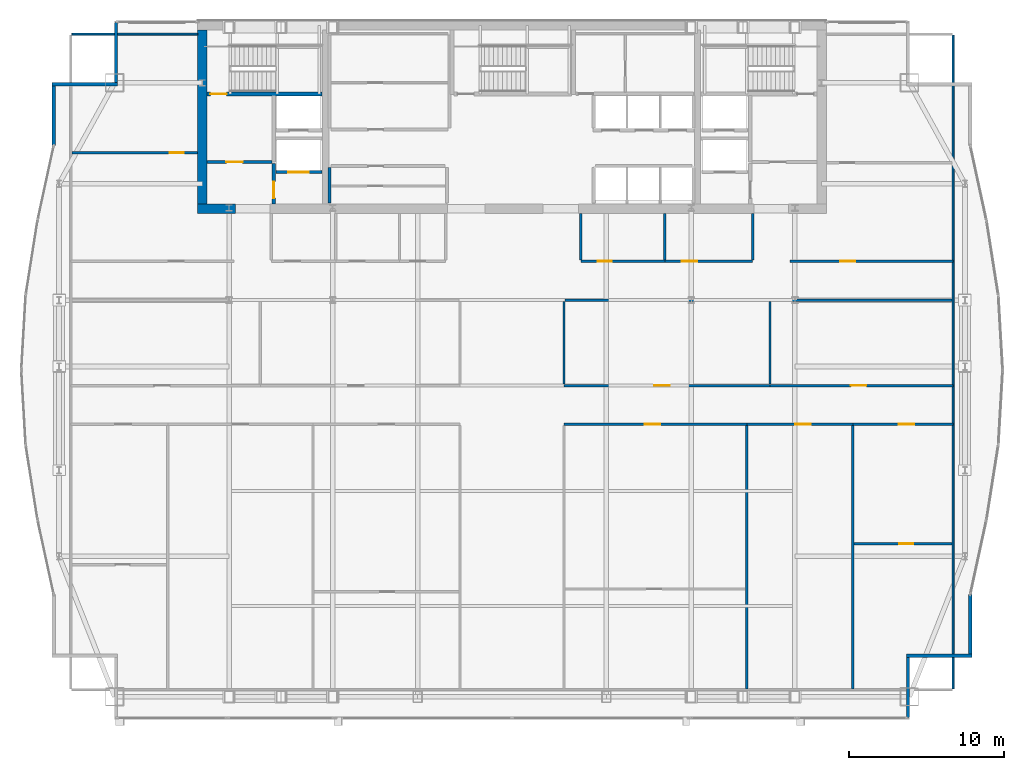
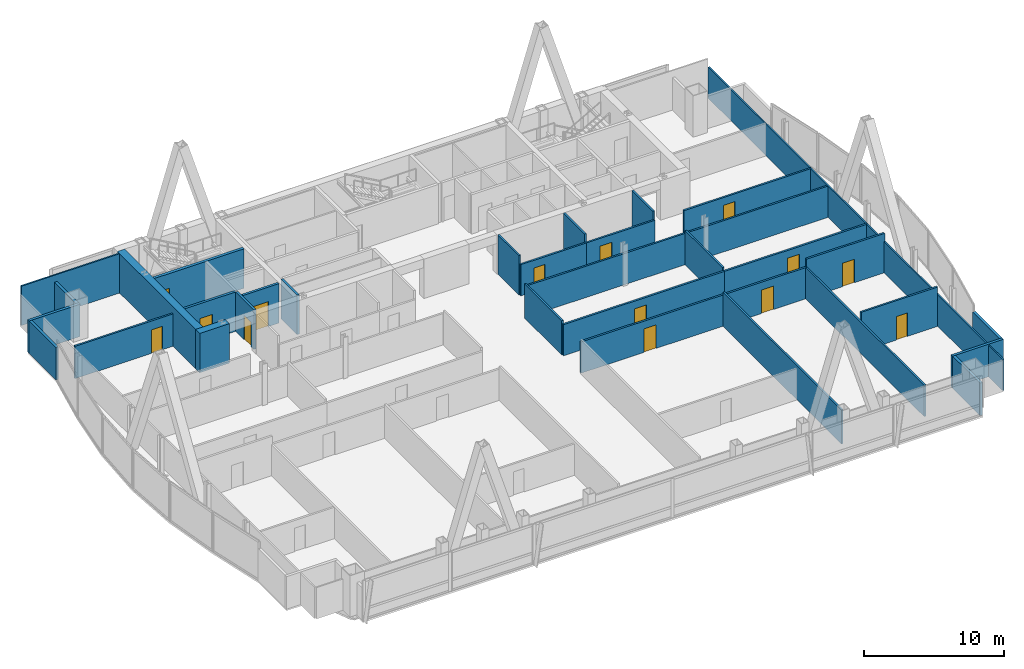
# One storey, part 29 of 33: 33 walls, 14 doors, 14 openings.
"""IFC4 building model written with IfcOpenShell, lengths in metres."""

from ifc_helpers import new_model, si_unit, direction, frame, frame_2d, origin, place, context, subcontext, project, spatial, rectangle, extrude, material, layer, layer_set, type_object, element, fill, save


model = new_model("IFC4")

# Units and contexts
model_context = context("Model", 3, precision=1e-05, world=origin(), true_north=direction((0.0, 1.0)))
body_context = subcontext(model_context, "Body", "Model", "MODEL_VIEW")
ifc_project = project(units=[si_unit("LENGTHUNIT", "METRE"), si_unit("AREAUNIT", "SQUARE_METRE"), si_unit("VOLUMEUNIT", "CUBIC_METRE"), si_unit("PLANEANGLEUNIT", "RADIAN"), si_unit("MASSUNIT", "GRAM", prefix="KILO")], contexts=[model_context])

# Site, building, storey
site_placement = place(None, origin())
site = spatial("IfcSite", under=ifc_project, at=site_placement, CompositionType="ELEMENT")
building_placement = place(site_placement, origin())
building = spatial("IfcBuilding", under=site, at=building_placement, Name="Khoronbel Lancet Exchange", CompositionType="ELEMENT")
storey_placement = place(building_placement, frame((0.0, 0.0, 210.199951171875)))
storey = spatial("IfcBuildingStorey", under=building, at=storey_placement, Name="L53", CompositionType="ELEMENT", Elevation=210.199951171875)

# Walls
ifc_material_1 = material(Name="Concrete C60/75", Category="concrete")
ifc_layer_1 = layer(ifc_material_1, 0.60009765625, Name="Concrete C60/75")
ifc_layer_set_1 = layer_set([ifc_layer_1], Name="Concrete C60/75")
wall_type_1 = type_object("IfcWallType", Name="WL-CW3", PredefinedType="SHEAR", material=ifc_layer_set_1)
wall_1_placement = place(storey_placement, frame((16.5, 41.89990234375, 0.0), z_axis=(0.0, 0.0, 1.0), x_axis=(0.0, 1.0, 0.0)))
element("IfcWall", 1, at=wall_1_placement, inside=storey, type_object=wall_type_1, Name="Level L53 rear core west shear wall", PredefinedType="SHEAR", context=body_context, shape_type="SweptSolid", body=[
    extrude(rectangle(XDim=11.2001953125, YDim=0.60009765625, at=frame_2d((5.60009765625, 0.0))), origin(), (0.0, 0.0, 1.0), 3.43994140625),
])
wall_2_placement = place(storey_placement, frame((18.64990234375, 41.60009765625, 0.0), z_axis=(0.0, 0.0, 1.0), x_axis=(-1.0, 0.0, 0.0)))
element("IfcWall", 2, at=wall_2_placement, inside=storey, type_object=wall_type_1, Name="Level L53 rear core south shear wall pier P1", PredefinedType="SHEAR", context=body_context, shape_type="SweptSolid", body=[
    extrude(rectangle(XDim=2.449951171875, YDim=0.60009765625, at=frame_2d((1.22509765625, 0.0))), origin(), (0.0, 0.0, 1.0), 3.43994140625),
])
ifc_material_2 = material(Name="Precast concrete C40/50", Category="concrete")
ifc_layer_2 = layer(ifc_material_2, 0.25, Name="Precast concrete C40/50")
ifc_layer_set_2 = layer_set([ifc_layer_2], Name="Precast concrete C40/50")
wall_type_2 = type_object("IfcWallType", Name="WL-EXT250", PredefinedType="SOLIDWALL", material=ifc_layer_set_2)
wall_3_placement = place(storey_placement, frame((6.93994140625, 45.67041015625, 0.0), z_axis=(0.0, 0.0, 1.0), x_axis=(0.0, 1.0, 0.0)))
element("IfcWall", 3, at=wall_3_placement, inside=storey, type_object=wall_type_2, Name="Level L53 notched-corner limestone pier 10", PredefinedType="SOLIDWALL", context=body_context, shape_type="SweptSolid", body=[
    extrude(rectangle(XDim=3.82958984375, YDim=0.219970703125, at=frame_2d((1.914794921875, 0.0))), origin(), (0.0, 0.0, 1.0), 2.830078125),
])
wall_4_placement = place(storey_placement, frame((6.830078125, 49.610107421875, 0.0), z_axis=(0.0, 0.0, 1.0), x_axis=(1.0, 0.0, 0.0)))
element("IfcWall", 4, at=wall_4_placement, inside=storey, type_object=wall_type_2, Name="Level L53 notched-corner limestone pier 11", PredefinedType="SOLIDWALL", context=body_context, shape_type="SweptSolid", body=[
    extrude(rectangle(XDim=4.219970703125, YDim=0.219970703125, at=frame_2d((2.10986328125, 0.0))), origin(), (0.0, 0.0, 1.0), 2.830078125),
])
wall_5_placement = place(storey_placement, frame((10.93994140625, 49.719970703125, 0.0), z_axis=(0.0, 0.0, 1.0), x_axis=(0.0, 1.0, 0.0)))
element("IfcWall", 5, at=wall_5_placement, inside=storey, type_object=wall_type_2, Name="Level L53 notched-corner limestone pier 12", PredefinedType="SOLIDWALL", context=body_context, shape_type="SweptSolid", body=[
    extrude(rectangle(XDim=3.909912109375, YDim=0.219970703125, at=frame_2d((1.955078125, 0.0))), origin(), (0.0, 0.0, 1.0), 2.830078125),
])
wall_6_placement = place(storey_placement, frame((65.9599609375, 16.7294921875, 0.0), z_axis=(0.0, 0.0, 1.0), x_axis=(0.0, -1.0, 0.0)))
element("IfcWall", 6, at=wall_6_placement, inside=storey, type_object=wall_type_2, Name="Level L53 notched-corner limestone pier 23", PredefinedType="SOLIDWALL", context=body_context, shape_type="SweptSolid", body=[
    extrude(rectangle(XDim=3.82958984375, YDim=0.219970703125, at=frame_2d((1.914794921875, 0.0))), origin(), (0.0, 0.0, 1.0), 2.830078125),
])
wall_7_placement = place(storey_placement, frame((66.070068359375, 12.7900390625, 0.0), z_axis=(0.0, 0.0, 1.0), x_axis=(-1.0, 0.0, 0.0)))
element("IfcWall", 7, at=wall_7_placement, inside=storey, type_object=wall_type_2, Name="Level L53 notched-corner limestone pier 24", PredefinedType="SOLIDWALL", context=body_context, shape_type="SweptSolid", body=[
    extrude(rectangle(XDim=4.219970703125, YDim=0.219970703125, at=frame_2d((2.10986328125, 0.0))), origin(), (0.0, 0.0, 1.0), 2.830078125),
])
wall_8_placement = place(storey_placement, frame((61.9599609375, 12.679931640625, 0.0), z_axis=(0.0, 0.0, 1.0), x_axis=(0.0, -1.0, 0.0)))
element("IfcWall", 8, at=wall_8_placement, inside=storey, type_object=wall_type_2, Name="Level L53 notched-corner limestone pier 25", PredefinedType="SOLIDWALL", context=body_context, shape_type="SweptSolid", body=[
    extrude(rectangle(XDim=3.909912109375, YDim=0.219970703125, at=frame_2d((1.955078125, 0.0))), origin(), (0.0, 0.0, 1.0), 2.830078125),
])
ifc_material_3 = material(Name="Acoustic Metal-Stud & Mineral-Wool Gypsum Partition 120 mm", Category="gypsum")
ifc_layer_3 = layer(ifc_material_3, 0.1201171875, Name="Acoustic Metal-Stud & Mineral-Wool Gypsum Partition 120 mm")
ifc_layer_set_3 = layer_set([ifc_layer_3], Name="Acoustic Metal-Stud & Mineral-Wool Gypsum Partition 120 mm")
wall_type_3 = type_object("IfcWallType", Name="WL-PRT120", PredefinedType="PARTITIONING", material=ifc_layer_set_3)
for number, where, z_axis, x_axis, name in (
    (9, (40.8798828125, 38.280029296875, 0.0), (0.0, 0.0, 1.0), (0.0, 1.0, 0.0), "Level L53 interior partition PW-NP-0"),
    (10, (46.300048828125, 38.280029296875, 0.0), (0.0, 0.0, 1.0), (0.0, 1.0, 0.0), "Level L53 interior partition PW-NP-M"),
    (11, (51.949951171875, 38.280029296875, 0.0), (0.0, 0.0, 1.0), (0.0, 1.0, 0.0), "Level L53 interior partition PW-NP-1"),
):
    element("IfcWall", number, at=place(storey_placement, frame(where, z_axis=z_axis, x_axis=x_axis)), inside=storey, type_object=wall_type_3, Name=name, PredefinedType="PARTITIONING", context=body_context, shape_type="SweptSolid", body=[
        extrude(rectangle(XDim=3.02001953125, YDim=0.14990234375, at=frame_2d((1.510009765625, 0.0))), origin(), (0.0, 0.0, 1.0), 3.43994140625),
    ])

# Wall, opening, door
wall_9_placement = place(storey_placement, frame((8.094970703125, 45.199951171875, 0.0), z_axis=(0.0, 0.0, 1.0), x_axis=(1.0, 0.0, 0.0)))
wall_9 = element("IfcWall", 12, at=wall_9_placement, inside=storey, type_object=wall_type_3, Name="Level L53 interior partition PW-NW-H", PredefinedType="PARTITIONING", context=body_context, shape_type="SweptSolid", body=[
    extrude(rectangle(XDim=8.10498046875, YDim=0.14990234375, at=frame_2d((4.052490234375, 0.0))), origin(), (0.0, 0.0, 1.0), 2.830078125),
])
opening_1_placement = place(wall_9_placement, frame((6.320068359375, 0.0, 0.0)))
opening_1 = element("IfcOpeningElement", 13, at=opening_1_placement, cuts=wall_9, Name="Opening D5", PredefinedType="OPENING", context=body_context, shape_type="SweptSolid", body=[
    extrude(rectangle(XDim=0.89990234375, YDim=2.050048828125, at=frame_2d((0.449951171875, 1.02490234375))), frame((0.0, 0.0849609375, 0.0), z_axis=(0.0, -1.0, 0.0), x_axis=(1.0, 0.0, 0.0)), (0.0, 0.0, 1.0), 0.169921875),
])
ifc_material_4 = material(Name="Acoustic Timber Pantry & Support Door", Category="wood")
door_type_1 = type_object("IfcDoorType", Name="DR-D5", OperationType="NOTDEFINED", PredefinedType="DOOR", material=ifc_material_4)
door_1_placement = place(opening_1_placement, origin())
door_1 = element("IfcDoor", 14, at=door_1_placement, inside=storey, type_object=door_type_1, Name="NW north room door L53-1", OperationType="SINGLE_SWING_LEFT", OverallHeight=2.050048828125, OverallWidth=0.89990234375, PredefinedType="DOOR", context=body_context, shape_type="SweptSolid", body=[
    extrude(rectangle(XDim=0.89990234375, YDim=2.050048828125, at=frame_2d((0.449951171875, 1.02490234375))), frame((0.0, 0.02490234375, 0.0), z_axis=(0.0, -1.0, 0.0), x_axis=(1.0, 0.0, 0.0)), (0.0, 0.0, 1.0), 0.050048828125),
])
fill(opening_1, door_1)

wall_10_placement = place(storey_placement, frame((58.49267578125, 20.0048828125, 0.0), z_axis=(0.0, 0.0, 1.0), x_axis=(1.0, 0.0, 0.0)))
wall_10 = element("IfcWall", 15, at=wall_10_placement, inside=storey, type_object=wall_type_3, Name="Level L53 interior partition PW-Z3SE-H3", PredefinedType="PARTITIONING", context=body_context, shape_type="SweptSolid", body=[
    extrude(rectangle(XDim=6.312255859375, YDim=0.14990234375, at=frame_2d((3.15625, 0.0))), origin(), (0.0, 0.0, 1.0), 3.43994140625),
])
opening_2_placement = place(wall_10_placement, frame((2.90576171875, 0.0, 0.0)))
opening_2 = element("IfcOpeningElement", 16, at=opening_2_placement, cuts=wall_10, Name="Opening D5", PredefinedType="OPENING", context=body_context, shape_type="SweptSolid", body=[
    extrude(rectangle(XDim=0.89990234375, YDim=2.050048828125, at=frame_2d((0.449951171875, 1.02490234375))), frame((0.0, 0.0849609375, 0.0), z_axis=(0.0, -1.0, 0.0), x_axis=(1.0, 0.0, 0.0)), (0.0, 0.0, 1.0), 0.169921875),
])
door_2_placement = place(opening_2_placement, origin())
door_2 = element("IfcDoor", 17, at=door_2_placement, inside=storey, type_object=door_type_1, Name="Z3SE inner door 3 L53-1", OperationType="SINGLE_SWING_RIGHT", OverallHeight=2.050048828125, OverallWidth=0.89990234375, PredefinedType="DOOR", context=body_context, shape_type="SweptSolid", body=[
    extrude(rectangle(XDim=0.89990234375, YDim=2.050048828125, at=frame_2d((0.449951171875, 1.02490234375))), frame((0.0, 0.02490234375, 0.0), z_axis=(0.0, -1.0, 0.0), x_axis=(1.0, 0.0, 0.0)), (0.0, 0.0, 1.0), 0.050048828125),
])
fill(opening_2, door_2)

# Walls
wall_11_placement = place(storey_placement, frame((64.8701171875, 10.6650390625, 0.0), z_axis=(0.0, 0.0, 1.0), x_axis=(0.0, 1.0, 0.0)))
element("IfcWall", 18, at=wall_11_placement, inside=storey, type_object=wall_type_3, Name="Level L53 interior partition PW-LIN-E", PredefinedType="PARTITIONING", context=body_context, shape_type="SweptSolid", body=[
    extrude(rectangle(XDim=42.10986328125, YDim=0.1201171875, at=frame_2d((21.054931640625, 0.0))), origin(), (0.0, 0.0, 1.0), 2.72998046875),
])
wall_12_placement = place(storey_placement, frame((8.094970703125, 52.840087890625, 0.0), z_axis=(0.0, 0.0, 1.0), x_axis=(1.0, 0.0, 0.0)))
element("IfcWall", 19, at=wall_12_placement, inside=storey, type_object=wall_type_3, Name="Level L53 interior partition PW-LIN-NW", PredefinedType="PARTITIONING", context=body_context, shape_type="SweptSolid", body=[
    extrude(rectangle(XDim=8.10498046875, YDim=0.1201171875, at=frame_2d((4.052490234375, 0.0))), origin(), (0.0, 0.0, 1.0), 3.43994140625),
])

# Wall, opening, door
ifc_material_5 = material(Name="Fire-Rated Twin-Stud Acoustic Gypsum Partition 150 mm", Category="gypsum")
ifc_layer_4 = layer(ifc_material_5, 0.14990234375, Name="Fire-Rated Twin-Stud Acoustic Gypsum Partition 150 mm")
ifc_layer_set_4 = layer_set([ifc_layer_4], Name="Fire-Rated Twin-Stud Acoustic Gypsum Partition 150 mm")
wall_type_4 = type_object("IfcWallType", Name="WL-PRT150C", PredefinedType="PARTITIONING", material=ifc_layer_set_4)
wall_13_placement = place(storey_placement, frame((40.8798828125, 38.199951171875, 0.0), z_axis=(0.0, 0.0, 1.0), x_axis=(1.0, 0.0, 0.0)))
wall_13 = element("IfcWall", 20, at=wall_13_placement, inside=storey, type_object=wall_type_4, Name="Level L53 interior partition PW-NP-S1", PredefinedType="PARTITIONING", context=body_context, shape_type="SweptSolid", body=[
    extrude(rectangle(XDim=5.420166015625, YDim=0.14990234375, at=frame_2d((2.7099609375, 0.0))), origin(), (0.0, 0.0, 1.0), 2.72998046875),
])
opening_3_placement = place(wall_13_placement, frame((1.10009765625, 0.0, 0.0)))
opening_3 = element("IfcOpeningElement", 21, at=opening_3_placement, cuts=wall_13, Name="Opening D5", PredefinedType="OPENING", context=body_context, shape_type="SweptSolid", body=[
    extrude(rectangle(XDim=0.89990234375, YDim=2.050048828125, at=frame_2d((0.449951171875, 1.02490234375))), frame((0.0, 0.0849609375, 0.0), z_axis=(0.0, -1.0, 0.0), x_axis=(1.0, 0.0, 0.0)), (0.0, 0.0, 1.0), 0.169921875),
])
door_3_placement = place(opening_3_placement, origin())
door_3 = element("IfcDoor", 22, at=door_3_placement, inside=storey, type_object=door_type_1, Name="Floor refreshment pantry door L53-1", OperationType="SINGLE_SWING_LEFT", OverallHeight=2.050048828125, OverallWidth=0.89990234375, PredefinedType="DOOR", context=body_context, shape_type="SweptSolid", body=[
    extrude(rectangle(XDim=0.89990234375, YDim=2.050048828125, at=frame_2d((0.449951171875, 1.02490234375))), frame((0.0, 0.02490234375, 0.0), z_axis=(0.0, -1.0, 0.0), x_axis=(1.0, 0.0, 0.0)), (0.0, 0.0, 1.0), 0.050048828125),
])
fill(opening_3, door_3)

wall_14_placement = place(storey_placement, frame((46.300048828125, 38.199951171875, 0.0), z_axis=(0.0, 0.0, 1.0), x_axis=(1.0, 0.0, 0.0)))
wall_14 = element("IfcWall", 23, at=wall_14_placement, inside=storey, type_object=wall_type_4, Name="Level L53 interior partition PW-NP-S2", PredefinedType="PARTITIONING", context=body_context, shape_type="SweptSolid", body=[
    extrude(rectangle(XDim=5.64990234375, YDim=0.14990234375, at=frame_2d((2.824951171875, 0.0))), origin(), (0.0, 0.0, 1.0), 2.72998046875),
])
opening_4_placement = place(wall_14_placement, frame((1.10009765625, 0.0, 0.0)))
opening_4 = element("IfcOpeningElement", 24, at=opening_4_placement, cuts=wall_14, Name="Opening D2", PredefinedType="OPENING", context=body_context, shape_type="SweptSolid", body=[
    extrude(rectangle(XDim=1.0, YDim=2.050048828125, at=frame_2d((0.5, 1.02490234375))), frame((0.0, 0.0849609375, 0.0), z_axis=(0.0, -1.0, 0.0), x_axis=(1.0, 0.0, 0.0)), (0.0, 0.0, 1.0), 0.169921875),
])
ifc_material_6 = material(Name="Acoustic Veneered Timber & Bronze Frame Door", Category="wood")
door_type_2 = type_object("IfcDoorType", Name="DR-D2", OperationType="NOTDEFINED", PredefinedType="DOOR", material=ifc_material_6)
door_4_placement = place(opening_4_placement, origin())
door_4 = element("IfcDoor", 25, at=door_4_placement, inside=storey, type_object=door_type_2, Name="Floor store door L53-1", OperationType="SINGLE_SWING_RIGHT", OverallHeight=2.050048828125, OverallWidth=1.0, PredefinedType="DOOR", context=body_context, shape_type="SweptSolid", body=[
    extrude(rectangle(XDim=1.0, YDim=2.050048828125, at=frame_2d((0.5, 1.02490234375))), frame((0.0, 0.02490234375, 0.0), z_axis=(0.0, -1.0, 0.0), x_axis=(1.0, 0.0, 0.0)), (0.0, 0.0, 1.0), 0.050048828125),
])
fill(opening_4, door_4)

wall_15_placement = place(storey_placement, frame((54.35009765625, 38.199951171875, 0.0), z_axis=(0.0, 0.0, 1.0), x_axis=(1.0, 0.0, 0.0)))
wall_15 = element("IfcWall", 26, at=wall_15_placement, inside=storey, type_object=wall_type_4, Name="Level L53 interior partition PW-NE-S", PredefinedType="PARTITIONING", context=body_context, shape_type="SweptSolid", body=[
    extrude(rectangle(XDim=10.52001953125, YDim=0.14990234375, at=frame_2d((5.260009765625, 0.0))), origin(), (0.0, 0.0, 1.0), 2.72998046875),
])
opening_5_placement = place(wall_15_placement, frame((3.25, 0.0, 0.0)))
opening_5 = element("IfcOpeningElement", 27, at=opening_5_placement, cuts=wall_15, Name="Opening D1", PredefinedType="OPENING", context=body_context, shape_type="SweptSolid", body=[
    extrude(rectangle(XDim=0.949951171875, YDim=2.050048828125, at=frame_2d((0.47509765625, 1.02490234375))), frame((0.0, 0.0849609375, 0.0), z_axis=(0.0, -1.0, 0.0), x_axis=(1.0, 0.0, 0.0)), (0.0, 0.0, 1.0), 0.169921875),
])
door_type_3 = type_object("IfcDoorType", Name="DR-D1", OperationType="NOTDEFINED", PredefinedType="DOOR", material=ifc_material_6)
door_5_placement = place(opening_5_placement, origin())
door_5 = element("IfcDoor", 28, at=door_5_placement, inside=storey, type_object=door_type_3, Name="NE corner room door L53-1", OperationType="SINGLE_SWING_RIGHT", OverallHeight=2.050048828125, OverallWidth=0.949951171875, PredefinedType="DOOR", context=body_context, shape_type="SweptSolid", body=[
    extrude(rectangle(XDim=0.949951171875, YDim=2.050048828125, at=frame_2d((0.47509765625, 1.02490234375))), frame((0.0, 0.02490234375, 0.0), z_axis=(0.0, -1.0, 0.0), x_axis=(1.0, 0.0, 0.0)), (0.0, 0.0, 1.0), 0.050048828125),
])
fill(opening_5, door_5)

# Walls
wall_16_placement = place(storey_placement, frame((39.800048828125, 30.284912109375, 0.0), z_axis=(0.0, 0.0, 1.0), x_axis=(0.0, 1.0, 0.0)))
element("IfcWall", 29, at=wall_16_placement, inside=storey, type_object=wall_type_4, Name="Level L53 interior partition PW-Z3-CE2", PredefinedType="PARTITIONING", context=body_context, shape_type="SweptSolid", body=[
    extrude(rectangle(XDim=5.335205078125, YDim=0.14990234375, at=frame_2d((2.66748046875, 0.0))), origin(), (0.0, 0.0, 1.0), 2.97998046875),
])
wall_17_placement = place(storey_placement, frame((39.8798828125, 35.699951171875, 0.0), z_axis=(0.0, 0.0, 1.0), x_axis=(1.0, 0.0, 0.0)))
element("IfcWall", 30, at=wall_17_placement, inside=storey, type_object=wall_type_4, Name="Level L53 interior partition PW-Z3-EN", PredefinedType="PARTITIONING", context=body_context, shape_type="SweptSolid", body=[
    extrude(rectangle(XDim=24.925048828125, YDim=0.14990234375, at=frame_2d((12.46240234375, 0.0))), origin(), (0.0, 0.0, 1.0), 2.72998046875),
])
wall_18_placement = place(storey_placement, frame((51.5751953125, 10.6650390625, 0.0), z_axis=(0.0, 0.0, 1.0), x_axis=(0.0, 1.0, 0.0)))
element("IfcWall", 31, at=wall_18_placement, inside=storey, type_object=wall_type_4, Name="Level L53 interior partition PW-Z3SE-V1", PredefinedType="PARTITIONING", context=body_context, shape_type="SweptSolid", body=[
    extrude(rectangle(XDim=16.949951171875, YDim=0.14990234375, at=frame_2d((8.47509765625, 0.0))), origin(), (0.0, 0.0, 1.0), 2.97998046875),
])
wall_19_placement = place(storey_placement, frame((58.41259765625, 10.6650390625, 0.0), z_axis=(0.0, 0.0, 1.0), x_axis=(0.0, 1.0, 0.0)))
element("IfcWall", 32, at=wall_19_placement, inside=storey, type_object=wall_type_4, Name="Level L53 interior partition PW-Z3SE-V2", PredefinedType="PARTITIONING", context=body_context, shape_type="SweptSolid", body=[
    extrude(rectangle(XDim=16.949951171875, YDim=0.14990234375, at=frame_2d((8.47509765625, 0.0))), origin(), (0.0, 0.0, 1.0), 2.72998046875),
])
wall_20_placement = place(storey_placement, frame((53.072509765625, 30.284912109375, 0.0), z_axis=(0.0, 0.0, 1.0), x_axis=(0.0, 1.0, 0.0)))
element("IfcWall", 33, at=wall_20_placement, inside=storey, type_object=wall_type_4, Name="Level L53 interior partition PW-Z3NE-V1", PredefinedType="PARTITIONING", context=body_context, shape_type="SweptSolid", body=[
    extrude(rectangle(XDim=5.335205078125, YDim=0.14990234375, at=frame_2d((2.66748046875, 0.0))), origin(), (0.0, 0.0, 1.0), 2.97998046875),
])

# Wall, opening, door
ifc_material_7 = material(Name="Fire-Rated Twin-Stud Acoustic Gypsum Partition 160 mm", Category="gypsum")
ifc_layer_5 = layer(ifc_material_7, 0.159912109375, Name="Fire-Rated Twin-Stud Acoustic Gypsum Partition 160 mm")
ifc_layer_set_5 = layer_set([ifc_layer_5], Name="Fire-Rated Twin-Stud Acoustic Gypsum Partition 160 mm")
wall_type_5 = type_object("IfcWallType", Name="WL-PRT160C", PredefinedType="PARTITIONING", material=ifc_layer_set_5)
wall_21_placement = place(storey_placement, frame((39.800048828125, 27.699951171875, 0.0), z_axis=(0.0, 0.0, 1.0), x_axis=(1.0, 0.0, 0.0)))
wall_21 = element("IfcWall", 34, at=wall_21_placement, inside=storey, type_object=wall_type_5, Name="Level L53 interior partition PW-Z3SE-COR1", PredefinedType="PARTITIONING", context=body_context, shape_type="SweptSolid", body=[
    extrude(rectangle(XDim=11.775146484375, YDim=0.159912109375, at=frame_2d((5.8876953125, 0.0))), origin(), (0.0, 0.0, 1.0), 2.72998046875),
])
opening_6_placement = place(wall_21_placement, frame((5.195556640625, 0.0, 0.0)))
opening_6 = element("IfcOpeningElement", 35, at=opening_6_placement, cuts=wall_21, Name="Opening D2", PredefinedType="OPENING", context=body_context, shape_type="SweptSolid", body=[
    extrude(rectangle(XDim=1.0, YDim=2.050048828125, at=frame_2d((0.5, 1.02490234375))), frame((0.0, 0.08984375, 0.0), z_axis=(0.0, -1.0, 0.0), x_axis=(1.0, 0.0, 0.0)), (0.0, 0.0, 1.0), 0.179931640625),
])
door_6_placement = place(opening_6_placement, origin())
door_6 = element("IfcDoor", 36, at=door_6_placement, inside=storey, type_object=door_type_2, Name="Z3SE bay 1 door L53-1", OperationType="SINGLE_SWING_RIGHT", OverallHeight=2.050048828125, OverallWidth=1.0, PredefinedType="DOOR", context=body_context, shape_type="SweptSolid", body=[
    extrude(rectangle(XDim=1.0, YDim=2.050048828125, at=frame_2d((0.5, 1.02490234375))), frame((0.0, 0.02490234375, 0.0), z_axis=(0.0, -1.0, 0.0), x_axis=(1.0, 0.0, 0.0)), (0.0, 0.0, 1.0), 0.050048828125),
])
fill(opening_6, door_6)

wall_22_placement = place(storey_placement, frame((51.5751953125, 27.699951171875, 0.0), z_axis=(0.0, 0.0, 1.0), x_axis=(1.0, 0.0, 0.0)))
wall_22 = element("IfcWall", 37, at=wall_22_placement, inside=storey, type_object=wall_type_5, Name="Level L53 interior partition PW-Z3SE-COR2", PredefinedType="PARTITIONING", context=body_context, shape_type="SweptSolid", body=[
    extrude(rectangle(XDim=6.83740234375, YDim=0.159912109375, at=frame_2d((3.418701171875, 0.0))), origin(), (0.0, 0.0, 1.0), 2.72998046875),
])
opening_7_placement = place(wall_22_placement, frame((3.12158203125, 0.0, 0.0)))
opening_7 = element("IfcOpeningElement", 38, at=opening_7_placement, cuts=wall_22, Name="Opening D2", PredefinedType="OPENING", context=body_context, shape_type="SweptSolid", body=[
    extrude(rectangle(XDim=1.0, YDim=2.050048828125, at=frame_2d((0.5, 1.02490234375))), frame((0.0, 0.08984375, 0.0), z_axis=(0.0, -1.0, 0.0), x_axis=(1.0, 0.0, 0.0)), (0.0, 0.0, 1.0), 0.179931640625),
])
door_7_placement = place(opening_7_placement, origin())
door_7 = element("IfcDoor", 39, at=door_7_placement, inside=storey, type_object=door_type_2, Name="Z3SE bay 2 door L53-1", OperationType="SINGLE_SWING_RIGHT", OverallHeight=2.050048828125, OverallWidth=1.0, PredefinedType="DOOR", context=body_context, shape_type="SweptSolid", body=[
    extrude(rectangle(XDim=1.0, YDim=2.050048828125, at=frame_2d((0.5, 1.02490234375))), frame((0.0, 0.02490234375, 0.0), z_axis=(0.0, -1.0, 0.0), x_axis=(1.0, 0.0, 0.0)), (0.0, 0.0, 1.0), 0.050048828125),
])
fill(opening_7, door_7)

wall_23_placement = place(storey_placement, frame((58.41259765625, 27.699951171875, 0.0), z_axis=(0.0, 0.0, 1.0), x_axis=(1.0, 0.0, 0.0)))
wall_23 = element("IfcWall", 40, at=wall_23_placement, inside=storey, type_object=wall_type_5, Name="Level L53 interior partition PW-Z3SE-COR3", PredefinedType="PARTITIONING", context=body_context, shape_type="SweptSolid", body=[
    extrude(rectangle(XDim=6.45751953125, YDim=0.159912109375, at=frame_2d((3.228759765625, 0.0))), origin(), (0.0, 0.0, 1.0), 3.43994140625),
])
opening_8_placement = place(wall_23_placement, frame((2.962158203125, 0.0, 0.0)))
opening_8 = element("IfcOpeningElement", 41, at=opening_8_placement, cuts=wall_23, Name="Opening D2", PredefinedType="OPENING", context=body_context, shape_type="SweptSolid", body=[
    extrude(rectangle(XDim=1.0, YDim=2.050048828125, at=frame_2d((0.5, 1.02490234375))), frame((0.0, 0.08984375, 0.0), z_axis=(0.0, -1.0, 0.0), x_axis=(1.0, 0.0, 0.0)), (0.0, 0.0, 1.0), 0.179931640625),
])
door_8_placement = place(opening_8_placement, origin())
door_8 = element("IfcDoor", 42, at=door_8_placement, inside=storey, type_object=door_type_2, Name="Z3SE bay 3 door L53-1", OperationType="SINGLE_SWING_LEFT", OverallHeight=2.050048828125, OverallWidth=1.0, PredefinedType="DOOR", context=body_context, shape_type="SweptSolid", body=[
    extrude(rectangle(XDim=1.0, YDim=2.050048828125, at=frame_2d((0.5, 1.02490234375))), frame((0.0, 0.02490234375, 0.0), z_axis=(0.0, -1.0, 0.0), x_axis=(1.0, 0.0, 0.0)), (0.0, 0.0, 1.0), 0.050048828125),
])
fill(opening_8, door_8)

wall_24_placement = place(storey_placement, frame((39.800048828125, 30.199951171875, 0.0), z_axis=(0.0, 0.0, 1.0), x_axis=(1.0, 0.0, 0.0)))
wall_24 = element("IfcWall", 43, at=wall_24_placement, inside=storey, type_object=wall_type_5, Name="Level L53 interior partition PW-Z3NE-COR1", PredefinedType="PARTITIONING", context=body_context, shape_type="SweptSolid", body=[
    extrude(rectangle(XDim=13.2724609375, YDim=0.159912109375, at=frame_2d((6.63623046875, 0.0))), origin(), (0.0, 0.0, 1.0), 2.72998046875),
])
opening_9_placement = place(wall_24_placement, frame((5.824462890625, 0.0, 0.0)))
opening_9 = element("IfcOpeningElement", 44, at=opening_9_placement, cuts=wall_24, Name="Opening D2", PredefinedType="OPENING", context=body_context, shape_type="SweptSolid", body=[
    extrude(rectangle(XDim=1.0, YDim=2.050048828125, at=frame_2d((0.5, 1.02490234375))), frame((0.0, 0.08984375, 0.0), z_axis=(0.0, -1.0, 0.0), x_axis=(1.0, 0.0, 0.0)), (0.0, 0.0, 1.0), 0.179931640625),
])
door_9_placement = place(opening_9_placement, origin())
door_9 = element("IfcDoor", 45, at=door_9_placement, inside=storey, type_object=door_type_2, Name="Z3NE bay 1 door L53-1", OperationType="SINGLE_SWING_LEFT", OverallHeight=2.050048828125, OverallWidth=1.0, PredefinedType="DOOR", context=body_context, shape_type="SweptSolid", body=[
    extrude(rectangle(XDim=1.0, YDim=2.050048828125, at=frame_2d((0.5, 1.02490234375))), frame((0.0, 0.02490234375, 0.0), z_axis=(0.0, -1.0, 0.0), x_axis=(1.0, 0.0, 0.0)), (0.0, 0.0, 1.0), 0.050048828125),
])
fill(opening_9, door_9)

wall_25_placement = place(storey_placement, frame((53.072509765625, 30.199951171875, 0.0), z_axis=(0.0, 0.0, 1.0), x_axis=(1.0, 0.0, 0.0)))
wall_25 = element("IfcWall", 46, at=wall_25_placement, inside=storey, type_object=wall_type_5, Name="Level L53 interior partition PW-Z3NE-COR2", PredefinedType="PARTITIONING", context=body_context, shape_type="SweptSolid", body=[
    extrude(rectangle(XDim=11.797607421875, YDim=0.159912109375, at=frame_2d((5.89892578125, 0.0))), origin(), (0.0, 0.0, 1.0), 2.72998046875),
])
opening_10_placement = place(wall_25_placement, frame((5.205078125, 0.0, 0.0)))
opening_10 = element("IfcOpeningElement", 47, at=opening_10_placement, cuts=wall_25, Name="Opening D2", PredefinedType="OPENING", context=body_context, shape_type="SweptSolid", body=[
    extrude(rectangle(XDim=1.0, YDim=2.050048828125, at=frame_2d((0.5, 1.02490234375))), frame((0.0, 0.08984375, 0.0), z_axis=(0.0, -1.0, 0.0), x_axis=(1.0, 0.0, 0.0)), (0.0, 0.0, 1.0), 0.179931640625),
])
door_10_placement = place(opening_10_placement, origin())
door_10 = element("IfcDoor", 48, at=door_10_placement, inside=storey, type_object=door_type_2, Name="Z3NE bay 2 door L53-1", OperationType="SINGLE_SWING_RIGHT", OverallHeight=2.050048828125, OverallWidth=1.0, PredefinedType="DOOR", context=body_context, shape_type="SweptSolid", body=[
    extrude(rectangle(XDim=1.0, YDim=2.050048828125, at=frame_2d((0.5, 1.02490234375))), frame((0.0, 0.02490234375, 0.0), z_axis=(0.0, -1.0, 0.0), x_axis=(1.0, 0.0, 0.0)), (0.0, 0.0, 1.0), 0.050048828125),
])
fill(opening_10, door_10)

ifc_material_8 = material(Name="Autoclaved Aerated Concrete Blockwork 200 mm", Category="masonry")
ifc_layer_6 = layer(ifc_material_8, 0.199951171875, Name="Autoclaved Aerated Concrete Blockwork 200 mm")
ifc_layer_set_6 = layer_set([ifc_layer_6], Name="Autoclaved Aerated Concrete Blockwork 200 mm")
wall_type_6 = type_object("IfcWallType", Name="WL-PRT200", PredefinedType="PARTITIONING", material=ifc_layer_set_6)
wall_26_placement = place(storey_placement, frame((24.2099609375, 43.949951171875, 0.0), z_axis=(0.0, 0.0, 1.0), x_axis=(-1.0, 0.0, 0.0)))
wall_26 = element("IfcWall", 49, at=wall_26_placement, inside=storey, type_object=wall_type_6, Name="Level L53 elevator hoistway landing front wall SVLW", PredefinedType="PARTITIONING", context=body_context, shape_type="SweptSolid", body=[
    extrude(rectangle(XDim=2.969970703125, YDim=0.199951171875, at=frame_2d((1.48486328125, 0.0))), origin(), (0.0, 0.0, 1.0), 3.43994140625),
])
opening_11_placement = place(wall_26_placement, frame((0.860107421875, 0.0, 0.0)))
opening_11 = element("IfcOpeningElement", 50, at=opening_11_placement, cuts=wall_26, Name="Opening LD-SVL1", PredefinedType="OPENING", context=body_context, shape_type="SweptSolid", body=[
    extrude(rectangle(XDim=1.300048828125, YDim=2.179931640625, at=frame_2d((0.64990234375, 1.08984375))), frame((0.0, 0.10986328125, 0.0), z_axis=(0.0, -1.0, 0.0), x_axis=(1.0, 0.0, 0.0)), (0.0, 0.0, 1.0), 0.219970703125),
])
ifc_material_9 = material(Name="Heavy-Duty Bi-Parting Goods Lift Landing Door", Category="steel")
door_type_4 = type_object("IfcDoorType", Name="DR-LD-SVL", OperationType="NOTDEFINED", PredefinedType="DOOR", material=ifc_material_9)
door_11_placement = place(opening_11_placement, origin())
door_11 = element("IfcDoor", 51, at=door_11_placement, inside=storey, type_object=door_type_4, Name="Elevator landing sliding door LD-SVL1 L53", OperationType="SLIDING_TO_LEFT", OverallHeight=2.179931640625, OverallWidth=1.300048828125, PredefinedType="DOOR", context=body_context, shape_type="SweptSolid", body=[
    extrude(rectangle(XDim=1.300048828125, YDim=2.179931640625, at=frame_2d((0.64990234375, 1.08984375))), frame((0.0, 0.02490234375, 0.0), z_axis=(0.0, -1.0, 0.0), x_axis=(1.0, 0.0, 0.0)), (0.0, 0.0, 1.0), 0.050048828125),
])
fill(opening_11, door_11)

wall_27_placement = place(storey_placement, frame((16.800048828125, 44.60009765625, 0.0), z_axis=(0.0, 0.0, 1.0), x_axis=(1.0, 0.0, 0.0)))
wall_27 = element("IfcWall", 52, at=wall_27_placement, inside=storey, type_object=wall_type_6, Name="Level L53 interior partition CW-FFLW-S", PredefinedType="PARTITIONING", context=body_context, shape_type="SweptSolid", body=[
    extrude(rectangle(XDim=4.199951171875, YDim=0.199951171875, at=frame_2d((2.10009765625, 0.0))), origin(), (0.0, 0.0, 1.0), 3.43994140625),
])
opening_12_placement = place(wall_27_placement, frame((1.25, 0.0, 0.0)))
opening_12 = element("IfcOpeningElement", 53, at=opening_12_placement, cuts=wall_27, Name="Opening FD1", PredefinedType="OPENING", context=body_context, shape_type="SweptSolid", body=[
    extrude(rectangle(XDim=1.050048828125, YDim=2.14990234375, at=frame_2d((0.52490234375, 1.074951171875))), frame((0.0, 0.10986328125, 0.0), z_axis=(0.0, -1.0, 0.0), x_axis=(1.0, 0.0, 0.0)), (0.0, 0.0, 1.0), 0.219970703125),
])
ifc_material_10 = material(Name="Fire-Rated Painted Steel Door Assembly", Category="steel")
door_type_5 = type_object("IfcDoorType", Name="DR-FD1", OperationType="NOTDEFINED", PredefinedType="DOOR", material=ifc_material_10)
door_12_placement = place(opening_12_placement, origin())
door_12 = element("IfcDoor", 54, at=door_12_placement, inside=storey, type_object=door_type_5, Name="West firefighting lobby FD90S door L53-1", OperationType="SINGLE_SWING_RIGHT", OverallHeight=2.14990234375, OverallWidth=1.050048828125, PredefinedType="DOOR", context=body_context, shape_type="SweptSolid", body=[
    extrude(rectangle(XDim=1.050048828125, YDim=2.14990234375, at=frame_2d((0.52490234375, 1.074951171875))), frame((0.0, 0.02490234375, 0.0), z_axis=(0.0, -1.0, 0.0), x_axis=(1.0, 0.0, 0.0)), (0.0, 0.0, 1.0), 0.050048828125),
])
fill(opening_12, door_12)

wall_28_placement = place(storey_placement, frame((21.10009765625, 41.89990234375, 0.0), z_axis=(0.0, 0.0, 1.0), x_axis=(0.0, 1.0, 0.0)))
wall_28 = element("IfcWall", 55, at=wall_28_placement, inside=storey, type_object=wall_type_6, Name="Level L53 interior partition CW-SVLW-W", PredefinedType="PARTITIONING", context=body_context, shape_type="SweptSolid", body=[
    extrude(rectangle(XDim=2.59521484375, YDim=0.199951171875, at=frame_2d((1.297607421875, 0.0))), origin(), (0.0, 0.0, 1.0), 3.43994140625),
])
opening_13_placement = place(wall_28_placement, frame((0.3798828125, 0.0, 0.0)))
opening_13 = element("IfcOpeningElement", 56, at=opening_13_placement, cuts=wall_28, Name="Opening FD1", PredefinedType="OPENING", context=body_context, shape_type="SweptSolid", body=[
    extrude(rectangle(XDim=1.050048828125, YDim=2.14990234375, at=frame_2d((0.52490234375, 1.074951171875))), frame((0.0, 0.10986328125, 0.0), z_axis=(0.0, -1.0, 0.0), x_axis=(1.0, 0.0, 0.0)), (0.0, 0.0, 1.0), 0.219970703125),
])
door_13_placement = place(opening_13_placement, origin())
door_13 = element("IfcDoor", 57, at=door_13_placement, inside=storey, type_object=door_type_5, Name="West service lift lobby door L53-1", OperationType="SINGLE_SWING_LEFT", OverallHeight=2.14990234375, OverallWidth=1.050048828125, PredefinedType="DOOR", context=body_context, shape_type="SweptSolid", body=[
    extrude(rectangle(XDim=1.050048828125, YDim=2.14990234375, at=frame_2d((0.52490234375, 1.074951171875))), frame((0.0, 0.02490234375, 0.0), z_axis=(0.0, -1.0, 0.0), x_axis=(1.0, 0.0, 0.0)), (0.0, 0.0, 1.0), 0.050048828125),
])
fill(opening_13, door_13)

# Wall
wall_29_placement = place(storey_placement, frame((24.699951171875, 41.949951171875, 0.0), z_axis=(0.0, 0.0, 1.0), x_axis=(0.0, 1.0, 0.0)))
element("IfcWall", 58, at=wall_29_placement, inside=storey, type_object=wall_type_6, Name="Level L53 interior partition CW-PM-RW", PredefinedType="PARTITIONING", context=body_context, shape_type="SweptSolid", body=[
    extrude(rectangle(XDim=2.295166015625, YDim=0.199951171875, at=frame_2d((1.1474609375, 0.0))), origin(), (0.0, 0.0, 1.0), 3.43994140625),
])

# Wall, opening, door
ifc_layer_7 = layer(ifc_material_1, 0.260009765625, Name="Concrete C60/75")
ifc_layer_set_7 = layer_set([ifc_layer_7], Name="Concrete C60/75")
wall_type_7 = type_object("IfcWallType", Name="WL-SW3", PredefinedType="SHEAR", material=ifc_layer_set_7)
wall_30_placement = place(storey_placement, frame((16.800048828125, 48.97998046875, 0.0), z_axis=(0.0, 0.0, 1.0), x_axis=(1.0, 0.0, 0.0)))
wall_30 = element("IfcWall", 59, at=wall_30_placement, inside=storey, type_object=wall_type_7, Name="Level L53 west stairwell structural south wall", PredefinedType="SHEAR", context=body_context, shape_type="SweptSolid", body=[
    extrude(rectangle(XDim=7.419921875, YDim=0.239990234375, at=frame_2d((3.7099609375, 0.0))), origin(), (0.0, 0.0, 1.0), 3.43994140625),
])
opening_14_placement = place(wall_30_placement, frame((0.219970703125, 0.0, 0.0)))
opening_14 = element("IfcOpeningElement", 60, at=opening_14_placement, cuts=wall_30, Name="Opening SD1", PredefinedType="OPENING", context=body_context, shape_type="SweptSolid", body=[
    extrude(rectangle(XDim=1.050048828125, YDim=2.14990234375, at=frame_2d((0.52490234375, 1.074951171875))), frame((0.0, 0.1298828125, 0.0), z_axis=(0.0, -1.0, 0.0), x_axis=(1.0, 0.0, 0.0)), (0.0, 0.0, 1.0), 0.260009765625),
])
ifc_material_11 = material(Name="Fire-Rated Steel Stairwell Door Assembly", Category="steel")
door_type_6 = type_object("IfcDoorType", Name="DR-SD1", OperationType="NOTDEFINED", PredefinedType="DOOR", material=ifc_material_11)
door_14_placement = place(opening_14_placement, origin())
door_14 = element("IfcDoor", 61, at=door_14_placement, inside=storey, type_object=door_type_6, Name="Protected exit stair ST1 door L53", OperationType="SINGLE_SWING_LEFT", OverallHeight=2.14990234375, OverallWidth=1.050048828125, PredefinedType="DOOR", context=body_context, shape_type="SweptSolid", body=[
    extrude(rectangle(XDim=1.050048828125, YDim=2.14990234375, at=frame_2d((0.52490234375, 1.074951171875))), frame((0.0, 0.02490234375, 0.0), z_axis=(0.0, -1.0, 0.0), x_axis=(1.0, 0.0, 0.0)), (0.0, 0.0, 1.0), 0.050048828125),
])
fill(opening_14, door_14)

save(model, "model.ifc")
